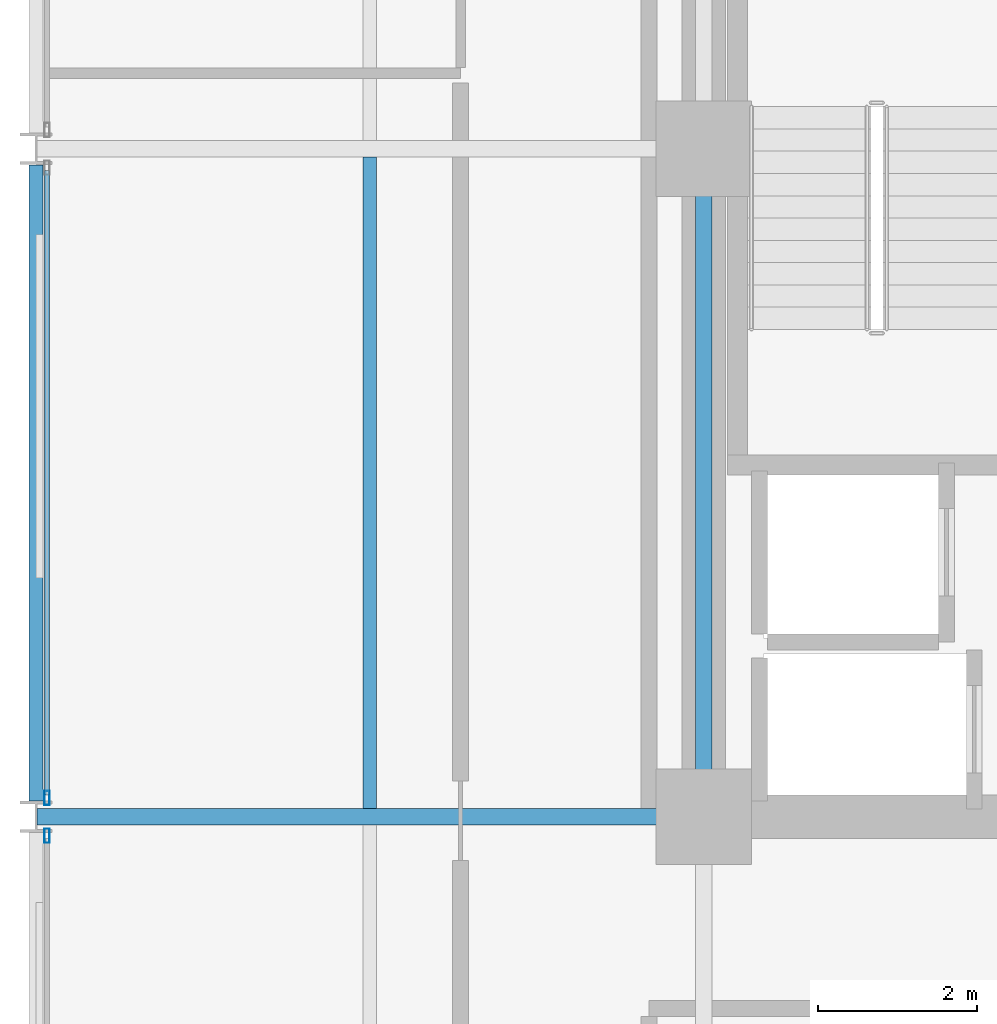
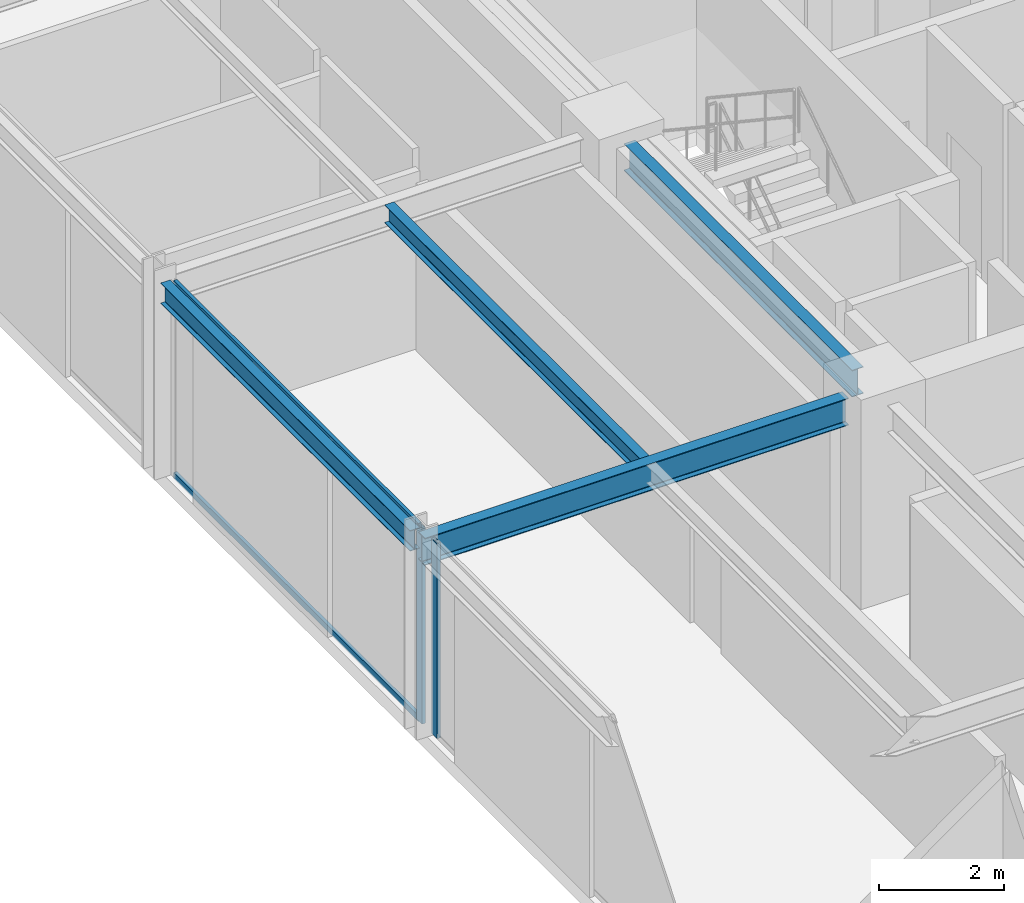
# One storey, part 13 of 38: 4 beams, 4 members, 2 elements without a shape of their own.
"""IFC4 building model written with IfcOpenShell, lengths in metres."""

from ifc_helpers import new_model, si_unit, direction, frame, origin, origin_2d, place, context, subcontext, project, spatial, hollow_rectangle, i_section, extrude, material, layer, layer_set, material_profile, profile_set, type_object, element, aggregate, save


model = new_model("IFC4")

# Units and contexts
model_context = context("Model", 3, precision=1e-05, world=origin(), true_north=direction((0.0, 1.0)))
body_context = subcontext(model_context, "Body", "Model", "MODEL_VIEW")
ifc_project = project(units=[si_unit("LENGTHUNIT", "METRE"), si_unit("AREAUNIT", "SQUARE_METRE"), si_unit("VOLUMEUNIT", "CUBIC_METRE"), si_unit("PLANEANGLEUNIT", "RADIAN"), si_unit("MASSUNIT", "GRAM", prefix="KILO")], contexts=[model_context])

# Site, building, storey
site_placement = place(None, origin())
site = spatial("IfcSite", under=ifc_project, at=site_placement, CompositionType="ELEMENT")
building_placement = place(site_placement, origin())
building = spatial("IfcBuilding", under=site, at=building_placement, Name="Nerrivon Quay Data Exchange", CompositionType="ELEMENT")
storey_placement = place(building_placement, frame((0.0, 0.0, 96.699951171875)))
storey = spatial("IfcBuildingStorey", under=building, at=storey_placement, Name="L22", CompositionType="ELEMENT", Elevation=96.699951171875)

# Beams
ifc_material_1 = material(Name="Steel Grade 350", Category="steel")
ifc_material_profile_1 = material_profile(ifc_material_1, i_section(OverallWidth=0.208984375, OverallDepth=0.532958984375, WebThickness=0.01025390625, FlangeThickness=0.015625, FilletRadius=0.013916015625, at=origin_2d()), Name="530UB92.4")
ifc_profile_set_1 = profile_set([ifc_material_profile_1], Name="Steel Grade 350")
beam_type_1 = type_object("IfcBeamType", Name="BM-G3-530UB92", PredefinedType="BEAM", material=ifc_profile_set_1)
beam_1_placement = place(storey_placement, frame((0.012451171875, 25.199951171875, 3.55859375), z_axis=(1.0, 0.0, 0.0), x_axis=(0.0, 1.0, 0.0)))
element("IfcBeam", 1, at=beam_1_placement, inside=storey, type_object=beam_type_1, Name="L22 EW Girder Y=25.2 (0.0..8.4)", PredefinedType="BEAM", context=body_context, shape_type="SweptSolid", body=[
    extrude(i_section(OverallWidth=0.208984375, OverallDepth=0.532958984375, WebThickness=0.01025390625, FlangeThickness=0.015625, FilletRadius=0.013916015625, at=origin_2d()), origin(), (0.0, 0.0, 1.0), 7.84765625),
])
ifc_material_profile_2 = material_profile(ifc_material_1, i_section(OverallWidth=0.208984375, OverallDepth=0.528076171875, WebThickness=0.009521484375, FlangeThickness=0.01318359375, FilletRadius=0.013916015625, at=origin_2d()), Name="530UB82.0")
ifc_profile_set_2 = profile_set([ifc_material_profile_2], Name="Steel Grade 350")
beam_type_2 = type_object("IfcBeamType", Name="BM-G4-530UB82", PredefinedType="BEAM", material=ifc_profile_set_2)
beam_2_placement = place(storey_placement, frame((8.39990234375, 25.739990234375, 3.56103515625), z_axis=(0.0, 1.0, 0.0), x_axis=(-1.0, 0.0, 0.0)))
element("IfcBeam", 2, at=beam_2_placement, inside=storey, type_object=beam_type_2, Name="L22 NS Girder X=8.4 (25.2..33.6)", PredefinedType="BEAM", context=body_context, shape_type="SweptSolid", body=[
    extrude(i_section(OverallWidth=0.208984375, OverallDepth=0.528076171875, WebThickness=0.009521484375, FlangeThickness=0.01318359375, FilletRadius=0.013916015625, at=origin_2d()), origin(), (0.0, 0.0, 1.0), 7.320068359375),
])
ifc_material_profile_3 = material_profile(ifc_material_1, i_section(OverallWidth=0.1708984375, OverallDepth=0.35595703125, WebThickness=0.00732421875, FlangeThickness=0.011474609375, FilletRadius=0.011474609375, at=origin_2d()), Name="360UB50.7")
ifc_profile_set_3 = profile_set([ifc_material_profile_3], Name="Steel Grade 350")
beam_type_3 = type_object("IfcBeamType", Name="BM-J4-360UB51", PredefinedType="JOIST", material=ifc_profile_set_3)
beam_3_placement = place(storey_placement, frame((4.199951171875, 25.304443359375, 3.64697265625), z_axis=(0.0, 1.0, 0.0), x_axis=(-1.0, 0.0, 0.0)))
element("IfcBeam", 3, at=beam_3_placement, inside=storey, type_object=beam_type_3, Name="L22 Secondary Joist X=4.2 (25.2..33.6)", PredefinedType="JOIST", context=body_context, shape_type="SweptSolid", body=[
    extrude(i_section(OverallWidth=0.1708984375, OverallDepth=0.35595703125, WebThickness=0.00732421875, FlangeThickness=0.011474609375, FilletRadius=0.011474609375, at=origin_2d()), origin(), (0.0, 0.0, 1.0), 8.191162109375),
])
ifc_material_profile_4 = material_profile(ifc_material_1, i_section(OverallWidth=0.177978515625, OverallDepth=0.403076171875, WebThickness=0.007568359375, FlangeThickness=0.010986328125, FilletRadius=0.011474609375, at=origin_2d()), Name="410UB53.7")
ifc_profile_set_4 = profile_set([ifc_material_profile_4], Name="Steel Grade 350")
beam_type_4 = type_object("IfcBeamType", Name="BM-SP2-410UB54", PredefinedType="SPANDREL", material=ifc_profile_set_4)
beam_4_placement = place(storey_placement, frame((0.0, 25.39990234375, 3.62353515625), z_axis=(0.0, 1.0, 0.0), x_axis=(-1.0, 0.0, 0.0)))
element("IfcBeam", 4, at=beam_4_placement, inside=storey, type_object=beam_type_4, Name="L22 NS Girder X=0.0 (25.2..33.6)", PredefinedType="SPANDREL", context=body_context, shape_type="SweptSolid", body=[
    extrude(i_section(OverallWidth=0.177978515625, OverallDepth=0.403076171875, WebThickness=0.007568359375, FlangeThickness=0.010986328125, FilletRadius=0.011474609375, at=origin_2d()), origin(), (0.0, 0.0, 1.0), 8.0),
])

# Curtain wall, member
ifc_material_2 = material(Name="Anodised aluminium 6063-T6", Category="aluminium")
ifc_layer = layer(ifc_material_2, 0.2099609375)
ifc_layer_set = layer_set([ifc_layer], Name="Anodised aluminium 6063-T6")
curtain_wall_type = type_object("IfcCurtainWallType", Name="CW-SYS-02", PredefinedType="NOTDEFINED", material=ifc_layer_set)
curtain_wall_1_placement = place(storey_placement, origin())
curtain_wall_1 = element("IfcCurtainWall", 5, at=curtain_wall_1_placement, inside=storey, type_object=curtain_wall_type, Name="L22 Unitised Curtain Wall 19", PredefinedType="NOTDEFINED")
ifc_material_profile_5 = material_profile(ifc_material_2, hollow_rectangle(XDim=0.06494140625, YDim=0.179931640625, WallThickness=0.00341796875, at=origin_2d()), Name="ALU-MULL-180x65")
ifc_profile_set_5 = profile_set([ifc_material_profile_5], Name="Anodised aluminium 6063-T6")
member_type_1 = type_object("IfcMemberType", Name="CWM-180x65", PredefinedType="MULLION", material=ifc_profile_set_5)
member_1_placement = place(storey_placement, frame((0.139892578125, 24.96240234375, 0.0), z_axis=(0.0, 0.0, 1.0), x_axis=(-1.0, 0.0, 0.0)))
member_1 = element("IfcMember", 6, at=member_1_placement, type_object=member_type_1, Name="CW02 mullion 2", PredefinedType="MULLION", context=body_context, shape_type="SweptSolid", body=[
    extrude(hollow_rectangle(XDim=0.06494140625, YDim=0.179931640625, WallThickness=0.00341796875, at=origin_2d()), origin(), (0.0, 0.0, 1.0), 3.824951171875),
])
aggregate(curtain_wall_1, [member_1])

# Curtain wall, members
curtain_wall_2_placement = place(storey_placement, origin())
curtain_wall_2 = element("IfcCurtainWall", 7, at=curtain_wall_2_placement, inside=storey, type_object=curtain_wall_type, Name="L22 Unitised Curtain Wall 20", PredefinedType="NOTDEFINED")
member_2_placement = place(storey_placement, frame((0.139892578125, 25.4375, 0.0), z_axis=(0.0, 0.0, 1.0), x_axis=(-1.0, 0.0, 0.0)))
member_2 = element("IfcMember", 8, at=member_2_placement, type_object=member_type_1, Name="CW02 mullion 1", PredefinedType="MULLION", context=body_context, shape_type="SweptSolid", body=[
    extrude(hollow_rectangle(XDim=0.06494140625, YDim=0.179931640625, WallThickness=0.00341796875, at=origin_2d()), origin(), (0.0, 0.0, 1.0), 3.824951171875),
])
ifc_material_profile_6 = material_profile(ifc_material_2, hollow_rectangle(XDim=0.06005859375, YDim=0.1201171875, WallThickness=0.003173828125, at=origin_2d()), Name="ALU-TRAN-120x60")
ifc_profile_set_6 = profile_set([ifc_material_profile_6], Name="Anodised aluminium 6063-T6")
member_type_2 = type_object("IfcMemberType", Name="CWT-120x60", PredefinedType="USERDEFINED", material=ifc_profile_set_6)
member_3_placement = place(storey_placement, frame((0.139892578125, 25.47509765625, 0.032470703125), z_axis=(0.0, 1.0, 0.0), x_axis=(-1.0, 0.0, 0.0)))
member_3 = element("IfcMember", 9, at=member_3_placement, type_object=member_type_2, Name="CW02 transom 1.1", ObjectType="TRANSOM", PredefinedType="USERDEFINED", context=body_context, shape_type="SweptSolid", body=[
    extrude(hollow_rectangle(XDim=0.06005859375, YDim=0.1201171875, WallThickness=0.003173828125, at=origin_2d()), origin(), (0.0, 0.0, 1.0), 7.849853515625),
])
member_4_placement = place(storey_placement, frame((0.139892578125, 25.47509765625, 3.79248046875), z_axis=(0.0, 1.0, 0.0), x_axis=(-1.0, 0.0, 0.0)))
member_4 = element("IfcMember", 10, at=member_4_placement, type_object=member_type_2, Name="CW02 transom 1.2", ObjectType="TRANSOM", PredefinedType="USERDEFINED", context=body_context, shape_type="SweptSolid", body=[
    extrude(hollow_rectangle(XDim=0.06005859375, YDim=0.1201171875, WallThickness=0.003173828125, at=origin_2d()), origin(), (0.0, 0.0, 1.0), 7.849853515625),
])
aggregate(curtain_wall_2, [member_2, member_3, member_4])

save(model, "model.ifc")
